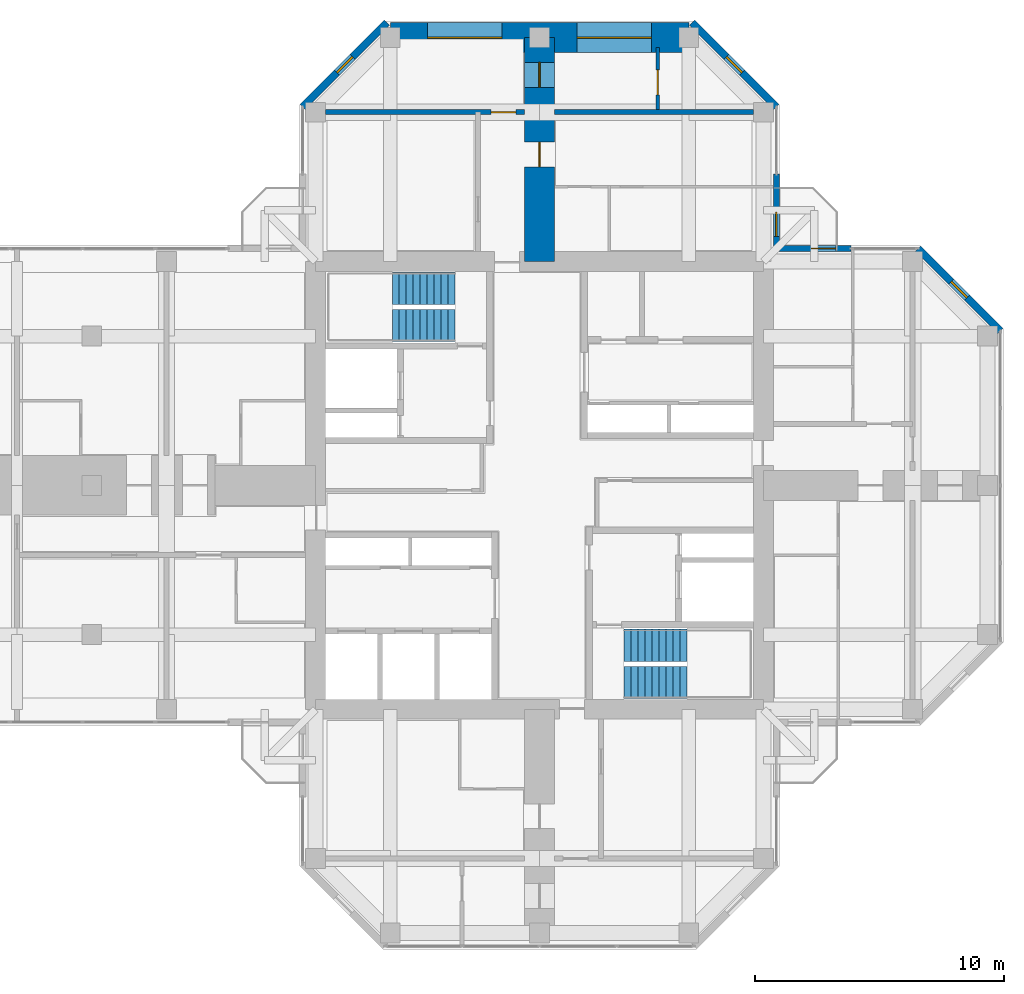
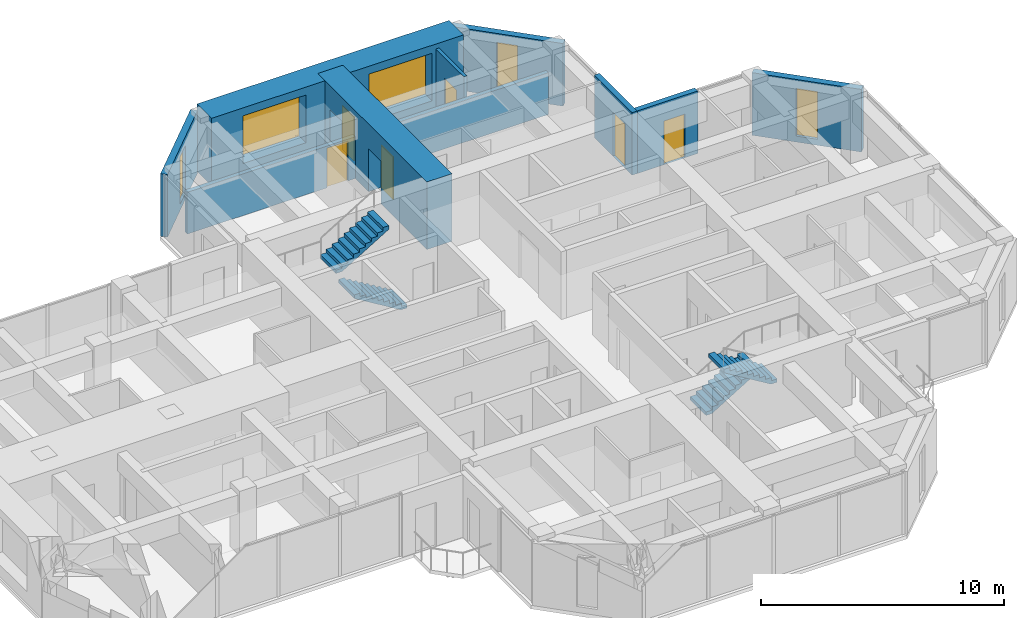
# One storey, part 12 of 13: 10 walls, 6 doors, 5 windows, 4 stair flights, 11 openings, 2 elements without a shape of their own.
"""IFC4 building model written with IfcOpenShell, lengths in metres."""

from ifc_helpers import new_model, si_unit, direction, frame, frame_2d, origin, place, context, subcontext, project, spatial, polyline, rectangle, hollow_rectangle, outline, extrude, material, layer, layer_set, constituent, constituent_set, type_object, element, fill, aggregate, save


model = new_model("IFC4")

# Units and contexts
model_context = context("Model", 3, precision=1e-05, world=origin(), true_north=direction((0.0, 1.0)))
body_context = subcontext(model_context, "Body", "Model", "MODEL_VIEW")
ifc_project = project(units=[si_unit("LENGTHUNIT", "METRE"), si_unit("AREAUNIT", "SQUARE_METRE"), si_unit("VOLUMEUNIT", "CUBIC_METRE"), si_unit("PLANEANGLEUNIT", "RADIAN"), si_unit("MASSUNIT", "GRAM", prefix="KILO")], contexts=[model_context])

# Site, building, storey
site_placement = place(None, origin())
site = spatial("IfcSite", under=ifc_project, at=site_placement, CompositionType="ELEMENT")
building_placement = place(site_placement, origin())
building = spatial("IfcBuilding", under=site, at=building_placement, Name="Torre Cruceta", CompositionType="ELEMENT")
storey_placement = place(building_placement, frame((0.0, 0.0, 249.300048828125)))
storey = spatial("IfcBuildingStorey", under=building, at=storey_placement, Name="L64", CompositionType="ELEMENT", Elevation=249.300048828125)

# Wall, opening, window
ifc_material_1 = material(Name="Concrete G30 (fck 30 MPa)", Category="concrete")
ifc_layer_1 = layer(ifc_material_1, 0.300048828125)
ifc_layer_set_1 = layer_set([ifc_layer_1], Name="Concrete G30 (fck 30 MPa)")
wall_type_1 = type_object("IfcWallType", Name="EXPOSED CONCRETE FACADE WALL 300", PredefinedType="SOLIDWALL", material=ifc_layer_set_1)
wall_1_placement = place(storey_placement, frame((18.52001953125, 6.21533203125, 0.0), z_axis=(0.0, 0.0, 1.0), x_axis=(-0.707106781187, 0.707106781187, 0.0)))
wall_1 = element("IfcWall", 1, at=wall_1_placement, inside=storey, type_object=wall_type_1, Name="EW1 facade wall L64 E chamfer 03", PredefinedType="SOLIDWALL", context=body_context, shape_type="SweptSolid", body=[
    extrude(rectangle(XDim=4.673583984375, YDim=0.300048828125, at=frame_2d((2.3369140625, 0.0))), origin(), (0.0, 0.0, 1.0), 3.14990234375),
])
opening_1_placement = place(wall_1_placement, frame((1.88671875, 0.0, 0.300048828125)))
opening_1 = element("IfcOpeningElement", 2, at=opening_1_placement, cuts=wall_1, Name="Opening WN5", PredefinedType="OPENING", context=body_context, shape_type="SweptSolid", body=[
    extrude(rectangle(XDim=0.89990234375, YDim=2.39990234375, at=frame_2d((0.449951171875, 1.199951171875))), frame((0.0, 0.159912109375, 0.0), z_axis=(0.0, -1.0, 0.0), x_axis=(1.0, 0.0, 0.0)), (0.0, 0.0, 1.0), 0.320068359375),
])
ifc_material_2 = material(Name="Aluminium window frame", Category="aluminium")
ifc_constituent_1 = constituent(ifc_material_2, Name="Frame")
ifc_material_3 = material(Name="Laminated insulating glass unit, low-iron clear", Category="glass")
ifc_constituent_2 = constituent(ifc_material_3, Name="Glazing")
ifc_constituent_set_1 = constituent_set(constituents=[ifc_constituent_1, ifc_constituent_2], Name="Aluminium window")
window_type_1 = type_object("IfcWindowType", Name="CHAMFER SLOT WINDOW 900X2400", PartitioningType="SINGLE_PANEL", PredefinedType="WINDOW", material=ifc_constituent_set_1)
window_1_placement = place(opening_1_placement, origin())
window_1 = element("IfcWindow", 3, at=window_1_placement, inside=storey, type_object=window_type_1, Name="WN5 L64 E 1", OverallHeight=2.39990234375, OverallWidth=0.89990234375, PartitioningType="SINGLE_PANEL", PredefinedType="WINDOW", context=body_context, shape_type="SweptSolid", body=[
    extrude(hollow_rectangle(XDim=0.89990234375, YDim=2.39990234375, WallThickness=0.06005859375, at=frame_2d((0.449951171875, 1.199951171875))), frame((0.0, 0.030029296875, 0.0), z_axis=(0.0, -1.0, 0.0), x_axis=(1.0, 0.0, 0.0)), (0.0, 0.0, 1.0), 0.06005859375),
    extrude(rectangle(XDim=0.77880859375, YDim=2.27880859375, at=frame_2d((0.449951171875, 1.199951171875))), frame((0.0, 0.030029296875, 0.0), z_axis=(0.0, -1.0, 0.0), x_axis=(1.0, 0.0, 0.0)), (0.0, 0.0, 1.0), 0.06005859375),
])
fill(opening_1, window_1)

wall_2_placement = place(storey_placement, frame((9.52001953125, 15.21533203125, 0.0), z_axis=(0.0, 0.0, 1.0), x_axis=(-0.707081278264, 0.707132283189, 0.0)))
wall_2 = element("IfcWall", 4, at=wall_2_placement, inside=storey, type_object=wall_type_1, Name="EW1 facade wall L64 N chamfer 06", PredefinedType="SOLIDWALL", context=body_context, shape_type="SweptSolid", body=[
    extrude(rectangle(XDim=4.78662109375, YDim=0.300048828125, at=frame_2d((2.393310546875, 0.0))), origin(), (0.0, 0.0, 1.0), 3.14990234375),
])
opening_2_placement = place(wall_2_placement, frame((1.943359375, 0.0, 0.300048828125)))
opening_2 = element("IfcOpeningElement", 5, at=opening_2_placement, cuts=wall_2, Name="Opening WN5", PredefinedType="OPENING", context=body_context, shape_type="SweptSolid", body=[
    extrude(rectangle(XDim=0.89990234375, YDim=2.39990234375, at=frame_2d((0.449951171875, 1.199951171875))), frame((0.0, 0.159912109375, 0.0), z_axis=(0.0, -1.0, 0.0), x_axis=(1.0, 0.0, 0.0)), (0.0, 0.0, 1.0), 0.320068359375),
])
window_2_placement = place(opening_2_placement, origin())
window_2 = element("IfcWindow", 6, at=window_2_placement, inside=storey, type_object=window_type_1, Name="WN5 L64 N 1", OverallHeight=2.39990234375, OverallWidth=0.89990234375, PartitioningType="SINGLE_PANEL", PredefinedType="WINDOW", context=body_context, shape_type="SweptSolid", body=[
    extrude(hollow_rectangle(XDim=0.89990234375, YDim=2.39990234375, WallThickness=0.06005859375, at=frame_2d((0.449951171875, 1.199951171875))), frame((0.0, 0.030029296875, 0.0), z_axis=(0.0, -1.0, 0.0), x_axis=(1.0, 0.0, 0.0)), (0.0, 0.0, 1.0), 0.06005859375),
    extrude(rectangle(XDim=0.77880859375, YDim=2.27880859375, at=frame_2d((0.449951171875, 1.199951171875))), frame((0.0, 0.030029296875, 0.0), z_axis=(0.0, -1.0, 0.0), x_axis=(1.0, 0.0, 0.0)), (0.0, 0.0, 1.0), 0.06005859375),
])
fill(opening_2, window_2)

wall_3_placement = place(storey_placement, frame((-6.135498046875, 18.60009765625, 0.0), z_axis=(0.0, 0.0, 1.0), x_axis=(-0.707081278264, -0.707132283189, 0.0)))
wall_3 = element("IfcWall", 7, at=wall_3_placement, inside=storey, type_object=wall_type_1, Name="EW1 facade wall L64 N chamfer 08", PredefinedType="SOLIDWALL", context=body_context, shape_type="SweptSolid", body=[
    extrude(rectangle(XDim=4.78662109375, YDim=0.300048828125, at=frame_2d((2.393310546875, 0.0))), origin(), (0.0, 0.0, 1.0), 3.14990234375),
])
opening_3_placement = place(wall_3_placement, frame((1.943359375, 0.0, 0.300048828125)))
opening_3 = element("IfcOpeningElement", 8, at=opening_3_placement, cuts=wall_3, Name="Opening WN5", PredefinedType="OPENING", context=body_context, shape_type="SweptSolid", body=[
    extrude(rectangle(XDim=0.89990234375, YDim=2.39990234375, at=frame_2d((0.449951171875, 1.199951171875))), frame((0.0, 0.159912109375, 0.0), z_axis=(0.0, -1.0, 0.0), x_axis=(1.0, 0.0, 0.0)), (0.0, 0.0, 1.0), 0.320068359375),
])
window_3_placement = place(opening_3_placement, origin())
window_3 = element("IfcWindow", 9, at=window_3_placement, inside=storey, type_object=window_type_1, Name="WN5 L64 N 1", OverallHeight=2.39990234375, OverallWidth=0.89990234375, PartitioningType="SINGLE_PANEL", PredefinedType="WINDOW", context=body_context, shape_type="SweptSolid", body=[
    extrude(hollow_rectangle(XDim=0.89990234375, YDim=2.39990234375, WallThickness=0.06005859375, at=frame_2d((0.449951171875, 1.199951171875))), frame((0.0, 0.030029296875, 0.0), z_axis=(0.0, -1.0, 0.0), x_axis=(1.0, 0.0, 0.0)), (0.0, 0.0, 1.0), 0.06005859375),
    extrude(rectangle(XDim=0.77880859375, YDim=2.27880859375, at=frame_2d((0.449951171875, 1.199951171875))), frame((0.0, 0.030029296875, 0.0), z_axis=(0.0, -1.0, 0.0), x_axis=(1.0, 0.0, 0.0)), (0.0, 0.0, 1.0), 0.06005859375),
])
fill(opening_3, window_3)

# Wall, openings, windows
ifc_material_4 = material(Name="Concrete G60 (fck 60 MPa)", Category="concrete")
ifc_layer_2 = layer(ifc_material_4, 1.199951171875)
ifc_layer_set_2 = layer_set([ifc_layer_2], Name="Concrete G60 (fck 60 MPa)")
wall_type_2 = type_object("IfcWallType", Name="NOSE WALL 1200 G60", PredefinedType="SHEAR", material=ifc_layer_set_2)
wall_4_placement = place(storey_placement, frame((6.0, 18.0, 0.0), z_axis=(0.0, 0.0, 1.0), x_axis=(-1.0, 0.0, 0.0)))
wall_4 = element("IfcWall", 10, at=wall_4_placement, inside=storey, type_object=wall_type_2, Name="NW1 nose wall L64 N", PredefinedType="SHEAR", context=body_context, shape_type="SweptSolid", body=[
    extrude(rectangle(XDim=12.0, YDim=1.199951171875, at=frame_2d((6.0, 0.0))), origin(), (0.0, 0.0, 1.0), 3.39990234375),
])
opening_4_placement = place(wall_4_placement, frame((1.5, 0.0, 0.60009765625)))
opening_4 = element("IfcOpeningElement", 11, at=opening_4_placement, cuts=wall_4, Name="Opening WN6", PredefinedType="OPENING", context=body_context, shape_type="SweptSolid", body=[
    extrude(rectangle(XDim=3.0, YDim=2.39990234375, at=frame_2d((1.5, 1.199951171875))), frame((0.0, 0.60986328125, 0.0), z_axis=(0.0, -1.0, 0.0), x_axis=(1.0, 0.0, 0.0)), (0.0, 0.0, 1.0), 1.219970703125),
])
opening_5_placement = place(wall_4_placement, frame((7.5, 0.0, 0.60009765625)))
opening_5 = element("IfcOpeningElement", 12, at=opening_5_placement, cuts=wall_4, Name="Opening WN6", PredefinedType="OPENING", context=body_context, shape_type="SweptSolid", body=[
    extrude(rectangle(XDim=3.0, YDim=2.39990234375, at=frame_2d((1.5, 1.199951171875))), frame((0.0, 0.60986328125, 0.0), z_axis=(0.0, -1.0, 0.0), x_axis=(1.0, 0.0, 0.0)), (0.0, 0.0, 1.0), 1.219970703125),
])
ifc_material_5 = material(Name="Aluminium window frame", Category="aluminium")
ifc_constituent_3 = constituent(ifc_material_5, Name="Frame")
ifc_material_6 = material(Name="Laminated insulating glass unit, low-iron clear", Category="glass")
ifc_constituent_4 = constituent(ifc_material_6, Name="Glazing")
ifc_constituent_set_2 = constituent_set(constituents=[ifc_constituent_3, ifc_constituent_4], Name="Aluminium window")
window_type_2 = type_object("IfcWindowType", Name="NOSE WALL WINDOW 3000X2400", PartitioningType="SINGLE_PANEL", PredefinedType="WINDOW", material=ifc_constituent_set_2)
window_4_placement = place(opening_4_placement, origin())
window_4 = element("IfcWindow", 13, at=window_4_placement, inside=storey, type_object=window_type_2, Name="WN6 L64 N 1", OverallHeight=2.39990234375, OverallWidth=3.0, PartitioningType="SINGLE_PANEL", PredefinedType="WINDOW", context=body_context, shape_type="SweptSolid", body=[
    extrude(hollow_rectangle(XDim=3.0, YDim=2.39990234375, WallThickness=0.06005859375, at=frame_2d((1.5, 1.199951171875))), frame((0.0, 0.030029296875, 0.0), z_axis=(0.0, -1.0, 0.0), x_axis=(1.0, 0.0, 0.0)), (0.0, 0.0, 1.0), 0.06005859375),
    extrude(rectangle(XDim=2.87890625, YDim=2.27880859375, at=frame_2d((1.5, 1.199951171875))), frame((0.0, 0.030029296875, 0.0), z_axis=(0.0, -1.0, 0.0), x_axis=(1.0, 0.0, 0.0)), (0.0, 0.0, 1.0), 0.06005859375),
])
fill(opening_4, window_4)
window_5_placement = place(opening_5_placement, origin())
window_5 = element("IfcWindow", 14, at=window_5_placement, inside=storey, type_object=window_type_2, Name="WN6 L64 N 2", OverallHeight=2.39990234375, OverallWidth=3.0, PartitioningType="SINGLE_PANEL", PredefinedType="WINDOW", context=body_context, shape_type="SweptSolid", body=[
    extrude(hollow_rectangle(XDim=3.0, YDim=2.39990234375, WallThickness=0.06005859375, at=frame_2d((1.5, 1.199951171875))), frame((0.0, 0.030029296875, 0.0), z_axis=(0.0, -1.0, 0.0), x_axis=(1.0, 0.0, 0.0)), (0.0, 0.0, 1.0), 0.06005859375),
    extrude(rectangle(XDim=2.87890625, YDim=2.27880859375, at=frame_2d((1.5, 1.199951171875))), frame((0.0, 0.030029296875, 0.0), z_axis=(0.0, -1.0, 0.0), x_axis=(1.0, 0.0, 0.0)), (0.0, 0.0, 1.0), 0.06005859375),
])
fill(opening_5, window_5)

# Wall, opening, door
ifc_material_7 = material(Name="Plasterboard on steel studs", Category="steel")
ifc_layer_3 = layer(ifc_material_7, 0.14990234375)
ifc_layer_set_3 = layer_set([ifc_layer_3], Name="Plasterboard on steel studs")
wall_type_3 = type_object("IfcWallType", Name="PARTITION 150", PredefinedType="PARTITIONING", material=ifc_layer_set_3)
wall_5_placement = place(storey_placement, frame((4.75, 15.10009765625, 0.0), z_axis=(0.0, 0.0, 1.0), x_axis=(0.0, 1.0, 0.0)))
wall_5 = element("IfcWall", 15, at=wall_5_placement, inside=storey, type_object=wall_type_3, Name="PT1 L64-N-END2X", PredefinedType="PARTITIONING", context=body_context, shape_type="SweptSolid", body=[
    extrude(rectangle(XDim=2.5, YDim=0.14990234375, at=frame_2d((1.25, 0.0))), origin(), (0.0, 0.0, 1.0), 3.14990234375),
])
opening_6_placement = place(wall_5_placement, frame((0.60009765625, 0.0, 0.0)))
opening_6 = element("IfcOpeningElement", 16, at=opening_6_placement, cuts=wall_5, Name="Opening D3", PredefinedType="OPENING", context=body_context, shape_type="SweptSolid", body=[
    extrude(rectangle(XDim=1.0, YDim=2.10009765625, at=frame_2d((0.5, 1.050048828125))), frame((0.0, 0.0849609375, 0.0), z_axis=(0.0, -1.0, 0.0), x_axis=(1.0, 0.0, 0.0)), (0.0, 0.0, 1.0), 0.169921875),
])
ifc_material_8 = material(Name="Steel DX51D", Category="steel")
ifc_constituent_5 = constituent(ifc_material_8, Name="Leaf and frame")
ifc_material_9 = material(Name="Polyester powder coating", Category="paint")
ifc_constituent_6 = constituent(ifc_material_9, Name="Finish")
ifc_constituent_set_3 = constituent_set(constituents=[ifc_constituent_5, ifc_constituent_6], Name="Steel fire door")
door_type_1 = type_object("IfcDoorType", Name="FIRE DOOR 1000X2100", OperationType="SINGLE_SWING_LEFT", PredefinedType="DOOR", material=ifc_constituent_set_3)
door_1_placement = place(opening_6_placement, frame((1.0, 0.0, 0.0), z_axis=(0.0, 0.0, 1.0), x_axis=(-1.0, 0.0, 0.0)))
door_1 = element("IfcDoor", 17, at=door_1_placement, inside=storey, type_object=door_type_1, Name="D3 L64-N-END2X-D1", OperationType="SINGLE_SWING_RIGHT", OverallHeight=2.10009765625, OverallWidth=1.0, PredefinedType="DOOR", context=body_context, shape_type="SweptSolid", body=[
    extrude(rectangle(XDim=1.0, YDim=2.10009765625, at=frame_2d((0.5, 1.050048828125))), frame((0.0, 0.025146484375, 0.0), z_axis=(0.0, -1.0, 0.0), x_axis=(1.0, 0.0, 0.0)), (0.0, 0.0, 1.0), 0.050048828125),
])
fill(opening_6, door_1)

# Wall, openings, doors
ifc_material_10 = material(Name="Concrete G60 (fck 60 MPa)", Category="concrete")
ifc_layer_4 = layer(ifc_material_10, 1.199951171875)
ifc_layer_set_4 = layer_set([ifc_layer_4], Name="Concrete G60 (fck 60 MPa)")
wall_type_4 = type_object("IfcWallType", Name="SPINE WALL 1200 G60", PredefinedType="SHEAR", material=ifc_layer_set_4)
wall_6_placement = place(storey_placement, frame((0.0, 9.0, 0.0), z_axis=(0.0, 0.0, 1.0), x_axis=(0.0, 1.0, 0.0)))
wall_6 = element("IfcWall", 18, at=wall_6_placement, inside=storey, type_object=wall_type_4, Name="SW3 spine wall L64 N", PredefinedType="SHEAR", context=body_context, shape_type="SweptSolid", body=[
    extrude(rectangle(XDim=9.0, YDim=1.199951171875, at=frame_2d((4.5, 0.0))), origin(), (0.0, 0.0, 1.0), 3.39990234375),
])
opening_7_placement = place(wall_6_placement, frame((3.800048828125, 0.0, 0.0)))
opening_7 = element("IfcOpeningElement", 19, at=opening_7_placement, cuts=wall_6, Name="Opening D6", PredefinedType="OPENING", context=body_context, shape_type="SweptSolid", body=[
    extrude(rectangle(XDim=1.0, YDim=2.14990234375, at=frame_2d((0.5, 1.074951171875))), frame((0.0, 0.60986328125, 0.0), z_axis=(0.0, -1.0, 0.0), x_axis=(1.0, 0.0, 0.0)), (0.0, 0.0, 1.0), 1.219970703125),
])
opening_8_placement = place(wall_6_placement, frame((7.0, 0.0, 0.0)))
opening_8 = element("IfcOpeningElement", 20, at=opening_8_placement, cuts=wall_6, Name="Opening D14", PredefinedType="OPENING", context=body_context, shape_type="SweptSolid", body=[
    extrude(rectangle(XDim=1.0, YDim=2.199951171875, at=frame_2d((0.5, 1.10009765625))), frame((0.0, 0.60986328125, 0.0), z_axis=(0.0, -1.0, 0.0), x_axis=(1.0, 0.0, 0.0)), (0.0, 0.0, 1.0), 1.219970703125),
])
ifc_material_11 = material(Name="Steel DX51D", Category="steel")
ifc_constituent_7 = constituent(ifc_material_11, Name="Leaf and frame")
ifc_material_12 = material(Name="Polyester powder coating", Category="paint")
ifc_constituent_8 = constituent(ifc_material_12, Name="Finish")
ifc_material_13 = material(Name="Fire-resisting glass", Category="glass")
ifc_constituent_9 = constituent(ifc_material_13, Name="Vision panel")
ifc_constituent_set_4 = constituent_set(constituents=[ifc_constituent_7, ifc_constituent_8, ifc_constituent_9], Name="Steel fire door with vision panel")
door_type_2 = type_object("IfcDoorType", Name="FIRE DOOR VISION PANEL 1000X2200", OperationType="SINGLE_SWING_RIGHT", PredefinedType="DOOR", material=ifc_constituent_set_4)
door_2_placement = place(opening_8_placement, frame((1.0, 0.0, 0.0), z_axis=(0.0, 0.0, 1.0), x_axis=(-1.0, 0.0, 0.0)))
door_2 = element("IfcDoor", 21, at=door_2_placement, inside=storey, type_object=door_type_2, Name="D14 L64-N-SP2", OperationType="SINGLE_SWING_LEFT", OverallHeight=2.199951171875, OverallWidth=1.0, PredefinedType="DOOR", context=body_context, shape_type="SweptSolid", body=[
    extrude(rectangle(XDim=1.0, YDim=2.199951171875, at=frame_2d((0.5, 1.10009765625))), frame((0.0, 0.025146484375, 0.0), z_axis=(0.0, -1.0, 0.0), x_axis=(1.0, 0.0, 0.0)), (0.0, 0.0, 1.0), 0.050048828125),
])
fill(opening_8, door_2)
ifc_material_14 = material(Name="Timber fire door", Category="wood")
door_type_3 = type_object("IfcDoorType", Name="UNIT ENTRANCE DOOR 1000X2150", OperationType="SINGLE_SWING_LEFT", PredefinedType="DOOR", material=ifc_material_14)
door_3_placement = place(opening_7_placement, frame((1.0, 0.0, 0.0), z_axis=(0.0, 0.0, 1.0), x_axis=(-1.0, 0.0, 0.0)))
door_3 = element("IfcDoor", 22, at=door_3_placement, inside=storey, type_object=door_type_3, Name="D6 L64-N-SP1", OperationType="SINGLE_SWING_RIGHT", OverallHeight=2.14990234375, OverallWidth=1.0, PredefinedType="DOOR", context=body_context, shape_type="SweptSolid", body=[
    extrude(rectangle(XDim=1.0, YDim=2.14990234375, at=frame_2d((0.5, 1.074951171875))), frame((0.0, 0.025146484375, 0.0), z_axis=(0.0, -1.0, 0.0), x_axis=(1.0, 0.0, 0.0)), (0.0, 0.0, 1.0), 0.050048828125),
])
fill(opening_7, door_3)

# Wall
ifc_material_15 = material(Name="Concrete G25 (fck 25 MPa)", Category="concrete")
ifc_layer_5 = layer(ifc_material_15, 0.199951171875)
ifc_layer_set_5 = layer_set([ifc_layer_5], Name="Concrete G25 (fck 25 MPa)")
wall_type_5 = type_object("IfcWallType", Name="UNIT SEPARATING WALL 200", PredefinedType="SOLIDWALL", material=ifc_layer_set_5)
wall_7_placement = place(storey_placement, frame((8.60009765625, 15.0, 0.0), z_axis=(0.0, 0.0, 1.0), x_axis=(-1.0, 0.0, 0.0)))
element("IfcWall", 23, at=wall_7_placement, inside=storey, type_object=wall_type_5, Name="PT2 L64-N-ENDa", PredefinedType="SOLIDWALL", context=body_context, shape_type="SweptSolid", body=[
    extrude(rectangle(XDim=8.0, YDim=0.199951171875, at=frame_2d((4.0, 0.0))), origin(), (0.0, 0.0, 1.0), 2.099853515625),
])

# Wall, opening, door
wall_8_placement = place(storey_placement, frame((-0.60009765625, 15.0, 0.0), z_axis=(0.0, 0.0, 1.0), x_axis=(-1.0, 0.0, 0.0)))
wall_8 = element("IfcWall", 24, at=wall_8_placement, inside=storey, type_object=wall_type_5, Name="PT2 L64-N-ENDb", PredefinedType="SOLIDWALL", context=body_context, shape_type="SweptSolid", body=[
    extrude(rectangle(XDim=8.0, YDim=0.199951171875, at=frame_2d((4.0, 0.0))), origin(), (0.0, 0.0, 1.0), 2.099853515625),
])
opening_9_placement = place(wall_8_placement, frame((0.35009765625, 0.0, 0.0)))
opening_9 = element("IfcOpeningElement", 25, at=opening_9_placement, cuts=wall_8, Name="Opening D16", PredefinedType="OPENING", context=body_context, shape_type="SweptSolid", body=[
    extrude(rectangle(XDim=1.0, YDim=2.0, at=frame_2d((0.5, 1.0))), frame((0.0, 0.10986328125, 0.0), z_axis=(0.0, -1.0, 0.0), x_axis=(1.0, 0.0, 0.0)), (0.0, 0.0, 1.0), 0.219970703125),
])
ifc_material_16 = material(Name="Steel DX51D", Category="steel")
ifc_constituent_10 = constituent(ifc_material_16, Name="Leaf and frame")
ifc_material_17 = material(Name="Polyester powder coating", Category="paint")
ifc_constituent_11 = constituent(ifc_material_17, Name="Finish")
ifc_material_18 = material(Name="Fire-resisting glass", Category="glass")
ifc_constituent_12 = constituent(ifc_material_18, Name="Vision panel")
ifc_constituent_set_5 = constituent_set(constituents=[ifc_constituent_10, ifc_constituent_11, ifc_constituent_12], Name="Steel fire door with vision panel")
door_type_4 = type_object("IfcDoorType", Name="FIRE DOOR VISION PANEL 1000X2000", OperationType="SINGLE_SWING_RIGHT", PredefinedType="DOOR", material=ifc_constituent_set_5)
door_4_placement = place(opening_9_placement, frame((1.0, 0.0, 0.0), z_axis=(0.0, 0.0, 1.0), x_axis=(-1.0, 0.0, 0.0)))
door_4 = element("IfcDoor", 26, at=door_4_placement, inside=storey, type_object=door_type_4, Name="D16 L64-N-ENDb-D1", OperationType="SINGLE_SWING_RIGHT", OverallHeight=2.0, OverallWidth=1.0, PredefinedType="DOOR", context=body_context, shape_type="SweptSolid", body=[
    extrude(rectangle(XDim=1.0, YDim=2.0, at=frame_2d((0.5, 1.0))), frame((0.0, 0.025146484375, 0.0), z_axis=(0.0, -1.0, 0.0), x_axis=(1.0, 0.0, 0.0)), (0.0, 0.0, 1.0), 0.050048828125),
])
fill(opening_9, door_4)

ifc_material_19 = material(Name="Concrete G30 (fck 30 MPa)", Category="concrete")
ifc_layer_6 = layer(ifc_material_19, 0.25)
ifc_layer_set_6 = layer_set([ifc_layer_6], Name="Concrete G30 (fck 30 MPa)")
wall_type_6 = type_object("IfcWallType", Name="WINTER GARDEN WALL 250", PredefinedType="SOLIDWALL", material=ifc_layer_set_6)
wall_9_placement = place(storey_placement, frame((12.52001953125, 9.52001953125, 0.0), z_axis=(0.0, 0.0, 1.0), x_axis=(-1.0, 0.0, 0.0)))
wall_9 = element("IfcWall", 27, at=wall_9_placement, inside=storey, type_object=wall_type_6, Name="EW2 winter garden wall L64 04", PredefinedType="SOLIDWALL", context=body_context, shape_type="SweptSolid", body=[
    extrude(rectangle(XDim=2.875, YDim=0.25, at=frame_2d((1.4375, 0.0))), origin(), (0.0, 0.0, 1.0), 3.14990234375),
])
opening_10_placement = place(wall_9_placement, frame((0.60009765625, 0.0, 0.0)))
opening_10 = element("IfcOpeningElement", 28, at=opening_10_placement, cuts=wall_9, Name="Opening D10", PredefinedType="OPENING", context=body_context, shape_type="SweptSolid", body=[
    extrude(rectangle(XDim=1.0, YDim=2.199951171875, at=frame_2d((0.5, 1.10009765625))), frame((0.0, 0.135009765625, 0.0), z_axis=(0.0, -1.0, 0.0), x_axis=(1.0, 0.0, 0.0)), (0.0, 0.0, 1.0), 0.27001953125),
])
ifc_material_20 = material(Name="Aluminium door frame", Category="aluminium")
ifc_constituent_13 = constituent(ifc_material_20, Name="Frame")
ifc_material_21 = material(Name="Laminated safety glass", Category="glass")
ifc_constituent_14 = constituent(ifc_material_21, Name="Glazing")
ifc_constituent_set_6 = constituent_set(constituents=[ifc_constituent_13, ifc_constituent_14], Name="Aluminium glazed door")
door_type_5 = type_object("IfcDoorType", Name="BALCONY DOOR 1000X2200", OperationType="SINGLE_SWING_RIGHT", PredefinedType="DOOR", material=ifc_constituent_set_6)
door_5_placement = place(opening_10_placement, origin())
door_5 = element("IfcDoor", 29, at=door_5_placement, inside=storey, type_object=door_type_5, Name="D10 balcony door L64 04", OperationType="SINGLE_SWING_LEFT", OverallHeight=2.199951171875, OverallWidth=1.0, PredefinedType="DOOR", context=body_context, shape_type="SweptSolid", body=[
    extrude(hollow_rectangle(XDim=1.0, YDim=2.199951171875, WallThickness=0.06005859375, at=frame_2d((0.5, 1.10009765625))), frame((0.0, 0.02490234375, 0.0), z_axis=(0.0, -1.0, 0.0), x_axis=(1.0, 0.0, 0.0)), (0.0, 0.0, 1.0), 0.050048828125),
    extrude(rectangle(XDim=0.87890625, YDim=2.078857421875, at=frame_2d((0.5, 1.10009765625))), frame((0.0, 0.02490234375, 0.0), z_axis=(0.0, -1.0, 0.0), x_axis=(1.0, 0.0, 0.0)), (0.0, 0.0, 1.0), 0.050048828125),
])
fill(opening_10, door_5)

wall_10_placement = place(storey_placement, frame((9.52001953125, 9.39501953125, 0.0), z_axis=(0.0, 0.0, 1.0), x_axis=(0.0, 1.0, 0.0)))
wall_10 = element("IfcWall", 30, at=wall_10_placement, inside=storey, type_object=wall_type_6, Name="EW2 winter garden wall L64 05", PredefinedType="SOLIDWALL", context=body_context, shape_type="SweptSolid", body=[
    extrude(rectangle(XDim=3.125, YDim=0.25, at=frame_2d((1.5625, 0.0))), origin(), (0.0, 0.0, 1.0), 3.14990234375),
])
opening_11_placement = place(wall_10_placement, frame((0.60009765625, 0.0, 0.0)))
opening_11 = element("IfcOpeningElement", 31, at=opening_11_placement, cuts=wall_10, Name="Opening D10", PredefinedType="OPENING", context=body_context, shape_type="SweptSolid", body=[
    extrude(rectangle(XDim=1.0, YDim=2.199951171875, at=frame_2d((0.5, 1.10009765625))), frame((0.0, 0.135009765625, 0.0), z_axis=(0.0, -1.0, 0.0), x_axis=(1.0, 0.0, 0.0)), (0.0, 0.0, 1.0), 0.27001953125),
])
door_6_placement = place(opening_11_placement, origin())
door_6 = element("IfcDoor", 32, at=door_6_placement, inside=storey, type_object=door_type_5, Name="D10 balcony door L64 05", OperationType="SINGLE_SWING_RIGHT", OverallHeight=2.199951171875, OverallWidth=1.0, PredefinedType="DOOR", context=body_context, shape_type="SweptSolid", body=[
    extrude(hollow_rectangle(XDim=1.0, YDim=2.199951171875, WallThickness=0.06005859375, at=frame_2d((0.5, 1.10009765625))), frame((0.0, 0.02490234375, 0.0), z_axis=(0.0, -1.0, 0.0), x_axis=(1.0, 0.0, 0.0)), (0.0, 0.0, 1.0), 0.050048828125),
    extrude(rectangle(XDim=0.87890625, YDim=2.078857421875, at=frame_2d((0.5, 1.10009765625))), frame((0.0, 0.02490234375, 0.0), z_axis=(0.0, -1.0, 0.0), x_axis=(1.0, 0.0, 0.0)), (0.0, 0.0, 1.0), 0.050048828125),
])
fill(opening_11, door_6)

# Stair, stair flights
ifc_material_22 = material(Name="Concrete G30 (fck 30 MPa)", Category="concrete")
stair_type = type_object("IfcStairType", Name="STAIR HALF-TURN 1300", PredefinedType="HALF_TURN_STAIR", material=ifc_material_22)
stair_1_placement = place(storey_placement, origin())
stair_1 = element("IfcStair", 33, at=stair_1_placement, inside=storey, type_object=stair_type, Name="Stair ST1 L64", PredefinedType="HALF_TURN_STAIR")
ifc_material_23 = material(Name="Concrete G30 (fck 30 MPa)", Category="concrete")
stair_flight_type = type_object("IfcStairFlightType", Name="STAIR FLIGHT 1300", PredefinedType="STRAIGHT", material=ifc_material_23)
stair_flight_1_placement = place(storey_placement, frame((-3.39990234375, 6.425048828125, 0.0), z_axis=(0.0, 0.0, 1.0), x_axis=(-1.0, 0.0, 0.0)))
stair_flight_1 = element("IfcStairFlight", 34, at=stair_flight_1_placement, type_object=stair_flight_type, Name="ST1 flight 1", NumberOfRisers=10, NumberOfTreads=9, PredefinedType="STRAIGHT", RiserHeight=0.17, TreadLength=0.28, context=body_context, shape_type="SweptSolid", body=[
    extrude(outline(polyline([(0.0, 0.0), (0.0, 0.169921875), (0.280029296875, 0.169921875), (0.280029296875, 0.340087890625), (0.56005859375, 0.340087890625), (0.56005859375, 0.510009765625), (0.840087890625, 0.510009765625), (0.840087890625, 0.679931640625), (1.1201171875, 0.679931640625), (1.1201171875, 0.85009765625), (1.39990234375, 0.85009765625), (1.39990234375, 1.02001953125), (1.679931640625, 1.02001953125), (1.679931640625, 1.18994140625), (1.9599609375, 1.18994140625), (1.9599609375, 1.360107421875), (2.239990234375, 1.360107421875), (2.239990234375, 1.530029296875), (2.52001953125, 1.530029296875), (2.52001953125, 1.699951171875), (2.52001953125, 1.354736328125), (0.288818359375, 0.0), (0.0, 0.0)])), frame((0.0, 0.64990234375, 0.0), z_axis=(0.0, -1.0, 0.0), x_axis=(1.0, 0.0, 0.0)), (0.0, 0.0, 1.0), 1.300048828125),
])
stair_flight_2_placement = place(storey_placement, frame((-5.919921875, 7.925048828125, 1.699951171875), z_axis=(0.0, 0.0, 1.0), x_axis=(1.0, 0.0, 0.0)))
stair_flight_2 = element("IfcStairFlight", 35, at=stair_flight_2_placement, type_object=stair_flight_type, Name="ST1 flight 2", NumberOfRisers=10, NumberOfTreads=9, PredefinedType="STRAIGHT", RiserHeight=0.17, TreadLength=0.28, context=body_context, shape_type="SweptSolid", body=[
    extrude(outline(polyline([(0.0, 0.0), (0.0, 0.169921875), (0.280029296875, 0.169921875), (0.280029296875, 0.340087890625), (0.56005859375, 0.340087890625), (0.56005859375, 0.510009765625), (0.840087890625, 0.510009765625), (0.840087890625, 0.679931640625), (1.1201171875, 0.679931640625), (1.1201171875, 0.85009765625), (1.39990234375, 0.85009765625), (1.39990234375, 1.02001953125), (1.679931640625, 1.02001953125), (1.679931640625, 1.18994140625), (1.9599609375, 1.18994140625), (1.9599609375, 1.360107421875), (2.239990234375, 1.360107421875), (2.239990234375, 1.530029296875), (2.52001953125, 1.530029296875), (2.52001953125, 1.699951171875), (2.52001953125, 1.354736328125), (0.288818359375, 0.0), (0.0, 0.0)])), frame((0.0, 0.64990234375, 0.0), z_axis=(0.0, -1.0, 0.0), x_axis=(1.0, 0.0, 0.0)), (0.0, 0.0, 1.0), 1.300048828125),
])
aggregate(stair_1, [stair_flight_1, stair_flight_2])

stair_2_placement = place(storey_placement, origin())
stair_2 = element("IfcStair", 36, at=stair_2_placement, inside=storey, type_object=stair_type, Name="Stair ST2 L64", PredefinedType="HALF_TURN_STAIR")
stair_flight_3_placement = place(storey_placement, frame((3.39990234375, -6.425048828125, 0.0), z_axis=(0.0, 0.0, 1.0), x_axis=(1.0, 0.0, 0.0)))
stair_flight_3 = element("IfcStairFlight", 37, at=stair_flight_3_placement, type_object=stair_flight_type, Name="ST2 flight 1", NumberOfRisers=10, NumberOfTreads=9, PredefinedType="STRAIGHT", RiserHeight=0.17, TreadLength=0.28, context=body_context, shape_type="SweptSolid", body=[
    extrude(outline(polyline([(0.0, 0.0), (0.0, 0.169921875), (0.280029296875, 0.169921875), (0.280029296875, 0.340087890625), (0.56005859375, 0.340087890625), (0.56005859375, 0.510009765625), (0.840087890625, 0.510009765625), (0.840087890625, 0.679931640625), (1.1201171875, 0.679931640625), (1.1201171875, 0.85009765625), (1.39990234375, 0.85009765625), (1.39990234375, 1.02001953125), (1.679931640625, 1.02001953125), (1.679931640625, 1.18994140625), (1.9599609375, 1.18994140625), (1.9599609375, 1.360107421875), (2.239990234375, 1.360107421875), (2.239990234375, 1.530029296875), (2.52001953125, 1.530029296875), (2.52001953125, 1.699951171875), (2.52001953125, 1.354736328125), (0.288818359375, 0.0), (0.0, 0.0)])), frame((0.0, 0.64990234375, 0.0), z_axis=(0.0, -1.0, 0.0), x_axis=(1.0, 0.0, 0.0)), (0.0, 0.0, 1.0), 1.300048828125),
])
stair_flight_4_placement = place(storey_placement, frame((5.919921875, -7.925048828125, 1.699951171875), z_axis=(0.0, 0.0, 1.0), x_axis=(-1.0, 0.0, 0.0)))
stair_flight_4 = element("IfcStairFlight", 38, at=stair_flight_4_placement, type_object=stair_flight_type, Name="ST2 flight 2", NumberOfRisers=10, NumberOfTreads=9, PredefinedType="STRAIGHT", RiserHeight=0.17, TreadLength=0.28, context=body_context, shape_type="SweptSolid", body=[
    extrude(outline(polyline([(0.0, 0.0), (0.0, 0.169921875), (0.280029296875, 0.169921875), (0.280029296875, 0.340087890625), (0.56005859375, 0.340087890625), (0.56005859375, 0.510009765625), (0.840087890625, 0.510009765625), (0.840087890625, 0.679931640625), (1.1201171875, 0.679931640625), (1.1201171875, 0.85009765625), (1.39990234375, 0.85009765625), (1.39990234375, 1.02001953125), (1.679931640625, 1.02001953125), (1.679931640625, 1.18994140625), (1.9599609375, 1.18994140625), (1.9599609375, 1.360107421875), (2.239990234375, 1.360107421875), (2.239990234375, 1.530029296875), (2.52001953125, 1.530029296875), (2.52001953125, 1.699951171875), (2.52001953125, 1.354736328125), (0.288818359375, 0.0), (0.0, 0.0)])), frame((0.0, 0.64990234375, 0.0), z_axis=(0.0, -1.0, 0.0), x_axis=(1.0, 0.0, 0.0)), (0.0, 0.0, 1.0), 1.300048828125),
])
aggregate(stair_2, [stair_flight_3, stair_flight_4])

save(model, "model.ifc")
